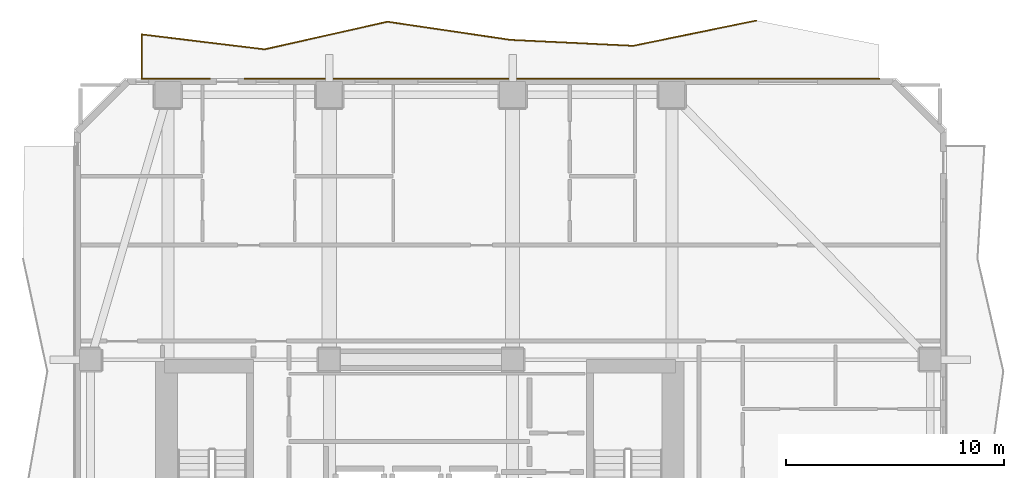
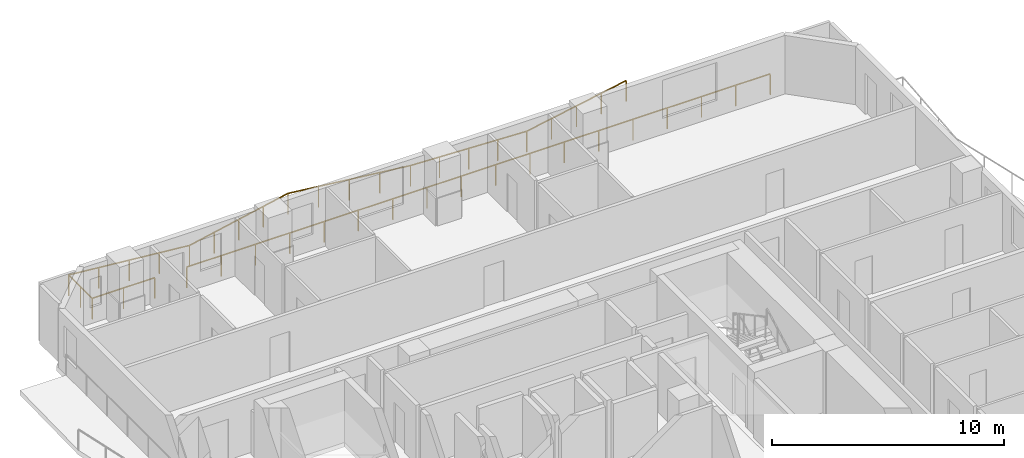
# One storey, part 11 of 11: 2 railings.
"""IFC4 building model written with IfcOpenShell, lengths in metres."""

from ifc_helpers import new_model, si_unit, direction, frame, origin, origin_2d, place, context, subcontext, project, spatial, rectangle, extrude, material, type_object, element, save


model = new_model("IFC4")

# Units and contexts
model_context = context("Model", 3, precision=1e-05, world=origin(), true_north=direction((0.0, 1.0)))
body_context = subcontext(model_context, "Body", "Model", "MODEL_VIEW")
ifc_project = project(units=[si_unit("LENGTHUNIT", "METRE"), si_unit("AREAUNIT", "SQUARE_METRE"), si_unit("VOLUMEUNIT", "CUBIC_METRE"), si_unit("PLANEANGLEUNIT", "RADIAN"), si_unit("MASSUNIT", "GRAM", prefix="KILO")], contexts=[model_context])

# Site, building, storey
site_placement = place(None, origin())
site = spatial("IfcSite", under=ifc_project, at=site_placement, CompositionType="ELEMENT")
building_placement = place(site_placement, origin())
building = spatial("IfcBuilding", under=site, at=building_placement, Name="Solanera Arch Residences", CompositionType="ELEMENT")
storey_placement = place(building_placement, frame((0.0, 0.0, 149.239990234375)))
storey = spatial("IfcBuildingStorey", under=building, at=storey_placement, Name="L43", CompositionType="ELEMENT", Elevation=149.239990234375)

# Railings
ifc_material = material(Name="Steel S355 (ASTM A992 / A572 Grade 50)", Category="steel")
railing_type = type_object("IfcRailingType", Name="Balustrade Railing BL-1100", PredefinedType="BALUSTRADE", material=ifc_material)
railing_1_placement = place(storey_placement, frame((40.366943359375, 54.948974609375, 0.0)))
element("IfcRailing", 1, at=railing_1_placement, inside=storey, type_object=railing_type, Name="L43 N Balcony Balustrade 1", PredefinedType="BALUSTRADE", context=body_context, shape_type="SweptSolid", body=[
    extrude(rectangle(XDim=0.048095703125, YDim=0.048095703125, at=origin_2d()), frame((0.0, 0.0, 1.09619140625), z_axis=(-0.979592200913, -0.200995323106, 0.0), x_axis=(0.200995323106, -0.979592200913, 0.0)), (0.0, 0.0, 1.0), 5.75146484375),
    extrude(rectangle(XDim=0.048095703125, YDim=0.048095703125, at=origin_2d()), frame((-5.634033203125, -1.156005859375, 1.09619140625), z_axis=(-0.998836379526, 0.048227450017, 0.0), x_axis=(-0.048227450017, -0.998836379526, 0.0)), (0.0, 0.0, 1.0), 5.639404296875),
    extrude(rectangle(XDim=0.048095703125, YDim=0.048095703125, at=origin_2d()), frame((-11.266845703125, -0.884033203125, 1.09619140625), z_axis=(-0.989291682987, 0.145951930347, 0.0), x_axis=(-0.145951930347, -0.989291682987, 0.0)), (0.0, 0.0, 1.0), 5.694091796875),
    extrude(rectangle(XDim=0.048095703125, YDim=0.048095703125, at=origin_2d()), frame((-16.89990234375, -0.052978515625, 1.09619140625), z_axis=(-0.975666991629, -0.219257659947, 0.0), x_axis=(0.219257659947, -0.975666991629, 0.0)), (0.0, 0.0, 1.0), 5.774658203125),
    extrude(rectangle(XDim=0.048095703125, YDim=0.048095703125, at=origin_2d()), frame((-22.533935546875, -1.319091796875, 1.09619140625), z_axis=(-0.992706657199, 0.120554936656, 0.0), x_axis=(-0.120554936656, -0.992706657199, 0.0)), (0.0, 0.0, 1.0), 5.674560546875),
    extrude(rectangle(XDim=0.048095703125, YDim=0.048095703125, at=origin_2d()), frame((-28.1669921875, -0.635009765625, 1.09619140625), z_axis=(0.0, -1.0, 0.0), x_axis=(1.0, 0.0, 0.0)), (0.0, 0.0, 1.0), 2.033935546875),
    extrude(rectangle(XDim=0.048095703125, YDim=0.048095703125, at=origin_2d()), frame((-28.1669921875, -2.6689453125, 1.09619140625), z_axis=(1.0, 0.0, 0.0), x_axis=(0.0, 1.0, 0.0)), (0.0, 0.0, 1.0), 3.116943359375),
    extrude(rectangle(XDim=0.0419921875, YDim=0.0419921875, at=origin_2d()), origin(), (0.0, 0.0, 1.0), 1.072021484375),
    extrude(rectangle(XDim=0.0419921875, YDim=0.0419921875, at=origin_2d()), frame((-1.408447265625, -0.2890625, 0.0)), (0.0, 0.0, 1.0), 1.072021484375),
    extrude(rectangle(XDim=0.0419921875, YDim=0.0419921875, at=origin_2d()), frame((-2.81689453125, -0.578125, 0.0)), (0.0, 0.0, 1.0), 1.072021484375),
    extrude(rectangle(XDim=0.0419921875, YDim=0.0419921875, at=origin_2d()), frame((-4.2255859375, -0.866943359375, 0.0)), (0.0, 0.0, 1.0), 1.072021484375),
    extrude(rectangle(XDim=0.0419921875, YDim=0.0419921875, at=origin_2d()), frame((-5.634033203125, -1.156005859375, 0.0)), (0.0, 0.0, 1.0), 1.072021484375),
    extrude(rectangle(XDim=0.0419921875, YDim=0.0419921875, at=origin_2d()), frame((-7.042236328125, -1.087890625, 0.0)), (0.0, 0.0, 1.0), 1.072021484375),
    extrude(rectangle(XDim=0.0419921875, YDim=0.0419921875, at=origin_2d()), frame((-8.450439453125, -1.02001953125, 0.0)), (0.0, 0.0, 1.0), 1.072021484375),
    extrude(rectangle(XDim=0.0419921875, YDim=0.0419921875, at=origin_2d()), frame((-9.858642578125, -0.9521484375, 0.0)), (0.0, 0.0, 1.0), 1.072021484375),
    extrude(rectangle(XDim=0.0419921875, YDim=0.0419921875, at=origin_2d()), frame((-11.266845703125, -0.884033203125, 0.0)), (0.0, 0.0, 1.0), 1.072021484375),
    extrude(rectangle(XDim=0.0419921875, YDim=0.0419921875, at=origin_2d()), frame((-12.675048828125, -0.67626953125, 0.0)), (0.0, 0.0, 1.0), 1.072021484375),
    extrude(rectangle(XDim=0.0419921875, YDim=0.0419921875, at=origin_2d()), frame((-14.08349609375, -0.468505859375, 0.0)), (0.0, 0.0, 1.0), 1.072021484375),
    extrude(rectangle(XDim=0.0419921875, YDim=0.0419921875, at=origin_2d()), frame((-15.49169921875, -0.2607421875, 0.0)), (0.0, 0.0, 1.0), 1.072021484375),
    extrude(rectangle(XDim=0.0419921875, YDim=0.0419921875, at=origin_2d()), frame((-16.89990234375, -0.052978515625, 0.0)), (0.0, 0.0, 1.0), 1.072021484375),
    extrude(rectangle(XDim=0.0419921875, YDim=0.0419921875, at=origin_2d()), frame((-18.308349609375, -0.36962890625, 0.0)), (0.0, 0.0, 1.0), 1.072021484375),
    extrude(rectangle(XDim=0.0419921875, YDim=0.0419921875, at=origin_2d()), frame((-19.716796875, -0.68603515625, 0.0)), (0.0, 0.0, 1.0), 1.072021484375),
    extrude(rectangle(XDim=0.0419921875, YDim=0.0419921875, at=origin_2d()), frame((-21.12548828125, -1.00244140625, 0.0)), (0.0, 0.0, 1.0), 1.072021484375),
    extrude(rectangle(XDim=0.0419921875, YDim=0.0419921875, at=origin_2d()), frame((-22.533935546875, -1.319091796875, 0.0)), (0.0, 0.0, 1.0), 1.072021484375),
    extrude(rectangle(XDim=0.0419921875, YDim=0.0419921875, at=origin_2d()), frame((-23.942138671875, -1.14794921875, 0.0)), (0.0, 0.0, 1.0), 1.072021484375),
    extrude(rectangle(XDim=0.0419921875, YDim=0.0419921875, at=origin_2d()), frame((-25.3505859375, -0.97705078125, 0.0)), (0.0, 0.0, 1.0), 1.072021484375),
    extrude(rectangle(XDim=0.0419921875, YDim=0.0419921875, at=origin_2d()), frame((-26.7587890625, -0.80615234375, 0.0)), (0.0, 0.0, 1.0), 1.072021484375),
    extrude(rectangle(XDim=0.0419921875, YDim=0.0419921875, at=origin_2d()), frame((-28.1669921875, -0.635009765625, 0.0)), (0.0, 0.0, 1.0), 1.072021484375),
    extrude(rectangle(XDim=0.0419921875, YDim=0.0419921875, at=origin_2d()), frame((-28.1669921875, -1.65185546875, 0.0)), (0.0, 0.0, 1.0), 1.072021484375),
    extrude(rectangle(XDim=0.0419921875, YDim=0.0419921875, at=origin_2d()), frame((-28.1669921875, -2.6689453125, 0.0)), (0.0, 0.0, 1.0), 1.072021484375),
    extrude(rectangle(XDim=0.0419921875, YDim=0.0419921875, at=origin_2d()), frame((-26.6083984375, -2.6689453125, 0.0)), (0.0, 0.0, 1.0), 1.072021484375),
    extrude(rectangle(XDim=0.0419921875, YDim=0.0419921875, at=origin_2d()), frame((-25.050048828125, -2.6689453125, 0.0)), (0.0, 0.0, 1.0), 1.072021484375),
])
railing_2_placement = place(storey_placement, frame((16.9169921875, 52.280029296875, 0.0)))
element("IfcRailing", 2, at=railing_2_placement, inside=storey, type_object=railing_type, Name="L43 N Balcony Balustrade 2", PredefinedType="BALUSTRADE", context=body_context, shape_type="SweptSolid", body=[
    extrude(rectangle(XDim=0.048095703125, YDim=0.048095703125, at=origin_2d()), frame((0.0, 0.0, 1.09619140625), z_axis=(1.0, 0.0, 0.0), x_axis=(0.0, 1.0, 0.0)), (0.0, 0.0, 1.0), 29.0830078125),
    extrude(rectangle(XDim=0.0419921875, YDim=0.0419921875, at=origin_2d()), origin(), (0.0, 0.0, 1.0), 1.072021484375),
    extrude(rectangle(XDim=0.0419921875, YDim=0.0419921875, at=origin_2d()), frame((1.710693359375, 0.0, 0.0)), (0.0, 0.0, 1.0), 1.072021484375),
    extrude(rectangle(XDim=0.0419921875, YDim=0.0419921875, at=origin_2d()), frame((3.421630859375, 0.0, 0.0)), (0.0, 0.0, 1.0), 1.072021484375),
    extrude(rectangle(XDim=0.0419921875, YDim=0.0419921875, at=origin_2d()), frame((5.13232421875, 0.0, 0.0)), (0.0, 0.0, 1.0), 1.072021484375),
    extrude(rectangle(XDim=0.0419921875, YDim=0.0419921875, at=origin_2d()), frame((6.843017578125, 0.0, 0.0)), (0.0, 0.0, 1.0), 1.072021484375),
    extrude(rectangle(XDim=0.0419921875, YDim=0.0419921875, at=origin_2d()), frame((8.5537109375, 0.0, 0.0)), (0.0, 0.0, 1.0), 1.072021484375),
    extrude(rectangle(XDim=0.0419921875, YDim=0.0419921875, at=origin_2d()), frame((10.2646484375, 0.0, 0.0)), (0.0, 0.0, 1.0), 1.072021484375),
    extrude(rectangle(XDim=0.0419921875, YDim=0.0419921875, at=origin_2d()), frame((11.975341796875, 0.0, 0.0)), (0.0, 0.0, 1.0), 1.072021484375),
    extrude(rectangle(XDim=0.0419921875, YDim=0.0419921875, at=origin_2d()), frame((13.68603515625, 0.0, 0.0)), (0.0, 0.0, 1.0), 1.072021484375),
    extrude(rectangle(XDim=0.0419921875, YDim=0.0419921875, at=origin_2d()), frame((15.39697265625, 0.0, 0.0)), (0.0, 0.0, 1.0), 1.072021484375),
    extrude(rectangle(XDim=0.0419921875, YDim=0.0419921875, at=origin_2d()), frame((17.107666015625, 0.0, 0.0)), (0.0, 0.0, 1.0), 1.072021484375),
    extrude(rectangle(XDim=0.0419921875, YDim=0.0419921875, at=origin_2d()), frame((18.818359375, 0.0, 0.0)), (0.0, 0.0, 1.0), 1.072021484375),
    extrude(rectangle(XDim=0.0419921875, YDim=0.0419921875, at=origin_2d()), frame((20.529296875, 0.0, 0.0)), (0.0, 0.0, 1.0), 1.072021484375),
    extrude(rectangle(XDim=0.0419921875, YDim=0.0419921875, at=origin_2d()), frame((22.239990234375, 0.0, 0.0)), (0.0, 0.0, 1.0), 1.072021484375),
    extrude(rectangle(XDim=0.0419921875, YDim=0.0419921875, at=origin_2d()), frame((23.95068359375, 0.0, 0.0)), (0.0, 0.0, 1.0), 1.072021484375),
    extrude(rectangle(XDim=0.0419921875, YDim=0.0419921875, at=origin_2d()), frame((25.661376953125, 0.0, 0.0)), (0.0, 0.0, 1.0), 1.072021484375),
    extrude(rectangle(XDim=0.0419921875, YDim=0.0419921875, at=origin_2d()), frame((27.372314453125, 0.0, 0.0)), (0.0, 0.0, 1.0), 1.072021484375),
    extrude(rectangle(XDim=0.0419921875, YDim=0.0419921875, at=origin_2d()), frame((29.0830078125, 0.0, 0.0)), (0.0, 0.0, 1.0), 1.072021484375),
])

save(model, "model.ifc")
